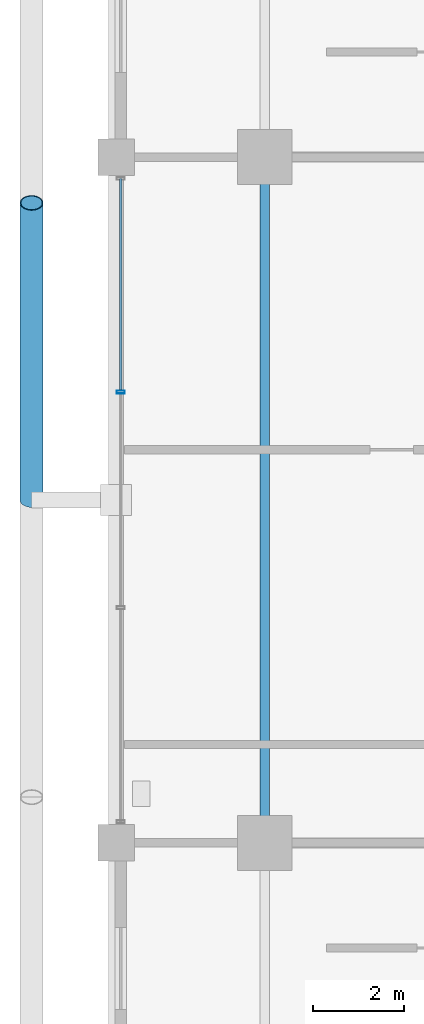
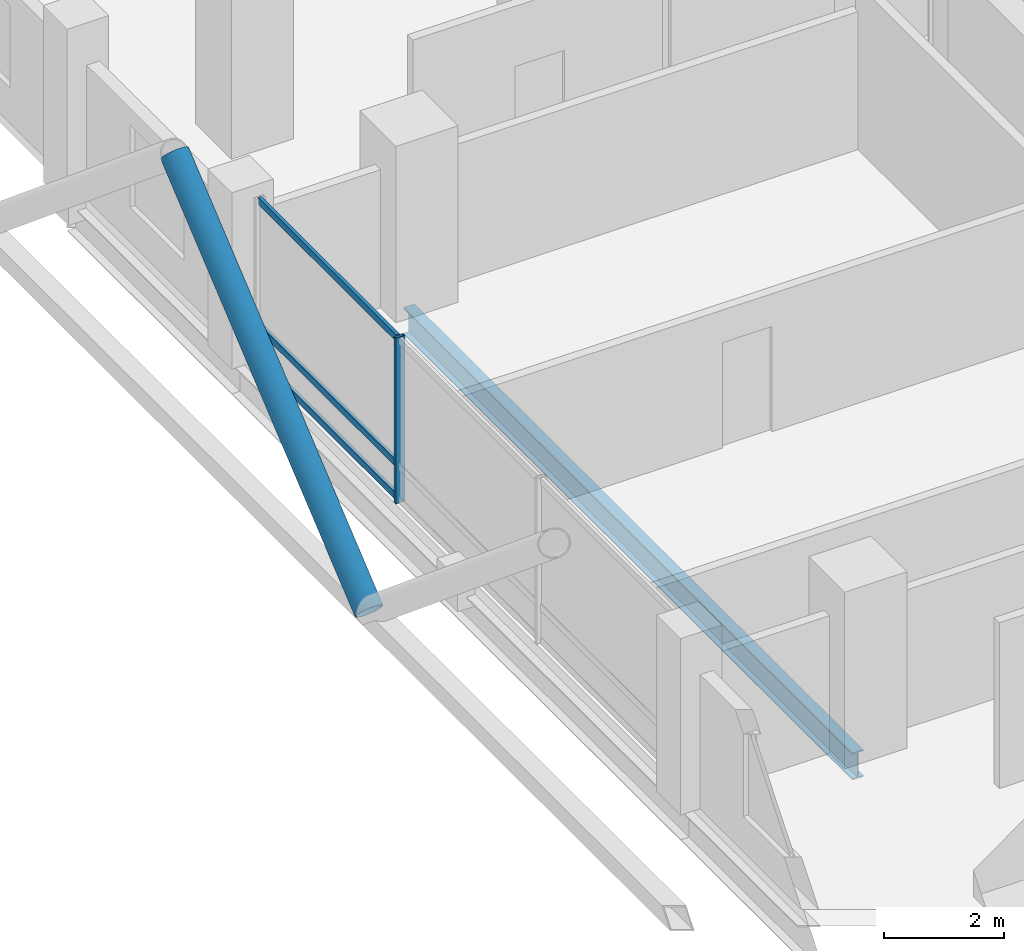
# One storey, part 7 of 24: 5 members, 1 beam, 1 element without a shape of its own.
"""IFC4 building model written with IfcOpenShell, lengths in metres."""

from ifc_helpers import new_model, si_unit, direction, frame, origin, origin_2d, place, context, subcontext, project, spatial, hollow_rectangle, hollow_circle, i_section, extrude, material, layer, layer_set, material_profile, profile_set, type_object, element, aggregate, save


model = new_model("IFC4")

# Units and contexts
model_context = context("Model", 3, precision=1e-05, world=origin(), true_north=direction((0.0, 1.0)))
body_context = subcontext(model_context, "Body", "Model", "MODEL_VIEW")
ifc_project = project(units=[si_unit("LENGTHUNIT", "METRE"), si_unit("AREAUNIT", "SQUARE_METRE"), si_unit("VOLUMEUNIT", "CUBIC_METRE"), si_unit("PLANEANGLEUNIT", "RADIAN"), si_unit("MASSUNIT", "GRAM", prefix="KILO")], contexts=[model_context])

# Site, building, storey
site_placement = place(None, origin())
site = spatial("IfcSite", under=ifc_project, at=site_placement, CompositionType="ELEMENT")
building_placement = place(site_placement, origin())
building = spatial("IfcBuilding", under=site, at=building_placement, Name="Barlavira Tower and Art Museum", CompositionType="ELEMENT")
storey_placement = place(building_placement, frame((0.0, 0.0, 154.800048828125)))
storey = spatial("IfcBuildingStorey", under=building, at=storey_placement, Name="L39", CompositionType="ELEMENT", Elevation=154.800048828125)

# Curtain wall, members
ifc_material_1 = material(Name="Low-iron coastal laminated glass", Category="glass")
ifc_layer = layer(ifc_material_1, 0.18994140625, Name="Low-iron coastal laminated glass")
ifc_layer_set = layer_set([ifc_layer], Name="Low-iron coastal laminated glass")
curtain_wall_type = type_object("IfcCurtainWallType", Name="Pale-Metal Unitised Curtain Wall Zone 2", PredefinedType="NOTDEFINED", material=ifc_layer_set)
curtain_wall_placement = place(storey_placement, origin())
curtain_wall = element("IfcCurtainWall", 1, at=curtain_wall_placement, inside=storey, type_object=curtain_wall_type, Name="L39 Curtain Wall CW2-L39-W-B3", PredefinedType="NOTDEFINED")
ifc_material_2 = material(Name="Pale anodised aluminium", Category="aluminium")
ifc_material_profile_1 = material_profile(ifc_material_2, hollow_rectangle(XDim=0.06494140625, YDim=0.179931640625, WallThickness=0.00390625, at=origin_2d()), Name="ALU-MULL 65x180x4")
ifc_profile_set_1 = profile_set([ifc_material_profile_1], Name="Pale anodised aluminium")
member_type_1 = type_object("IfcMemberType", Name="Curtain Wall Pale-Metal Mullion 65x180", PredefinedType="MULLION", material=ifc_profile_set_1)
member_1_placement = place(storey_placement, frame((-20.14990234375, 2.360107421875, 0.0), z_axis=(0.0, 0.0, 1.0), x_axis=(0.0, -1.0, 0.0)))
member_1 = element("IfcMember", 2, at=member_1_placement, type_object=member_type_1, Name="CW2-L39-W-B3 Mullion 1", PredefinedType="MULLION", context=body_context, shape_type="SweptSolid", body=[
    extrude(hollow_rectangle(XDim=0.06494140625, YDim=0.179931640625, WallThickness=0.00390625, at=origin_2d()), origin(), (0.0, 0.0, 1.0), 3.3798828125),
])
ifc_material_profile_2 = material_profile(ifc_material_2, hollow_rectangle(XDim=0.06494140625, YDim=0.139892578125, WallThickness=0.00390625, at=origin_2d()), Name="ALU-TRAN 65x140x4")
ifc_profile_set_2 = profile_set([ifc_material_profile_2], Name="Pale anodised aluminium")
member_type_2 = type_object("IfcMemberType", Name="Curtain Wall Pale-Metal Transom 65x140", PredefinedType="USERDEFINED", material=ifc_profile_set_2)
member_2_placement = place(storey_placement, frame((-20.14990234375, 7.034912109375, 0.070068359375), z_axis=(0.0, -1.0, 0.0), x_axis=(1.0, 0.0, 0.0)))
member_2 = element("IfcMember", 3, at=member_2_placement, type_object=member_type_2, Name="CW2-L39-W-B3 Transom 0.1", ObjectType="TRANSOM", PredefinedType="USERDEFINED", context=body_context, shape_type="SweptSolid", body=[
    extrude(hollow_rectangle(XDim=0.06494140625, YDim=0.139892578125, WallThickness=0.00390625, at=origin_2d()), origin(), (0.0, 0.0, 1.0), 4.6298828125),
])
member_3_placement = place(storey_placement, frame((-20.14990234375, 7.034912109375, 0.743896484375), z_axis=(0.0, -1.0, 0.0), x_axis=(1.0, 0.0, 0.0)))
member_3 = element("IfcMember", 4, at=member_3_placement, type_object=member_type_2, Name="CW2-L39-W-B3 Transom 0.2", ObjectType="TRANSOM", PredefinedType="USERDEFINED", context=body_context, shape_type="SweptSolid", body=[
    extrude(hollow_rectangle(XDim=0.06494140625, YDim=0.139892578125, WallThickness=0.00390625, at=origin_2d()), origin(), (0.0, 0.0, 1.0), 4.6298828125),
])
member_4_placement = place(storey_placement, frame((-20.14990234375, 7.034912109375, 3.31005859375), z_axis=(0.0, -1.0, 0.0), x_axis=(1.0, 0.0, 0.0)))
member_4 = element("IfcMember", 5, at=member_4_placement, type_object=member_type_2, Name="CW2-L39-W-B3 Transom 0.3", ObjectType="TRANSOM", PredefinedType="USERDEFINED", context=body_context, shape_type="SweptSolid", body=[
    extrude(hollow_rectangle(XDim=0.06494140625, YDim=0.139892578125, WallThickness=0.00390625, at=origin_2d()), origin(), (0.0, 0.0, 1.0), 4.6298828125),
])
aggregate(curtain_wall, [member_1, member_2, member_3, member_4])

# Member
ifc_material_3 = material(Name="Steel S355", Category="steel")
ifc_material_profile_3 = material_profile(ifc_material_3, hollow_circle(Radius=0.25390625, WallThickness=0.022216796875, at=origin_2d()), Name="CHS 508.0x22.2")
ifc_profile_set_3 = profile_set([ifc_material_profile_3], Name="Steel S355")
member_type_3 = type_object("IfcMemberType", Name="Pale-Metal Exoskeleton Diagrid Tube CHS 508x22 Steel S355", PredefinedType="BRACE", material=ifc_profile_set_3)
member_5_placement = place(storey_placement, frame((-22.10009765625, 0.0, -0.1201171875), z_axis=(0.0, 0.76918185268, 0.639029950399), x_axis=(-1.0, 0.0, 0.0)))
element("IfcMember", 6, at=member_5_placement, inside=storey, type_object=member_type_3, Name="L39 Exoskeleton Diagrid Tube W", PredefinedType="BRACE", context=body_context, shape_type="SweptSolid", body=[
    extrude(hollow_circle(Radius=0.25390625, WallThickness=0.022216796875, at=origin_2d()), origin(), (0.0, 0.0, 1.0), 8.450439453125),
])

# Beam
ifc_material_profile_4 = material_profile(ifc_material_3, i_section(OverallWidth=0.214111328125, OverallDepth=0.549072265625, WebThickness=0.0146484375, FlangeThickness=0.023681640625, at=origin_2d()), Name="W530x138.0")
ifc_profile_set_4 = profile_set([ifc_material_profile_4], Name="Steel S355")
beam_type = type_object("IfcBeamType", Name="Zone 1 Primary Floor Girder W530x138 Steel S355", PredefinedType="BEAM", material=ifc_profile_set_4)
beam_placement = place(storey_placement, frame((-17.0, -7.5, -0.49462890625), z_axis=(0.0, 1.0, 0.0), x_axis=(-1.0, 0.0, 0.0)))
element("IfcBeam", 7, at=beam_placement, inside=storey, type_object=beam_type, Name="L39 Girder M-W2", PredefinedType="BEAM", context=body_context, shape_type="SweptSolid", body=[
    extrude(i_section(OverallWidth=0.214111328125, OverallDepth=0.549072265625, WebThickness=0.0146484375, FlangeThickness=0.023681640625, at=origin_2d()), origin(), (0.0, 0.0, 1.0), 15.0),
])

save(model, "model.ifc")
